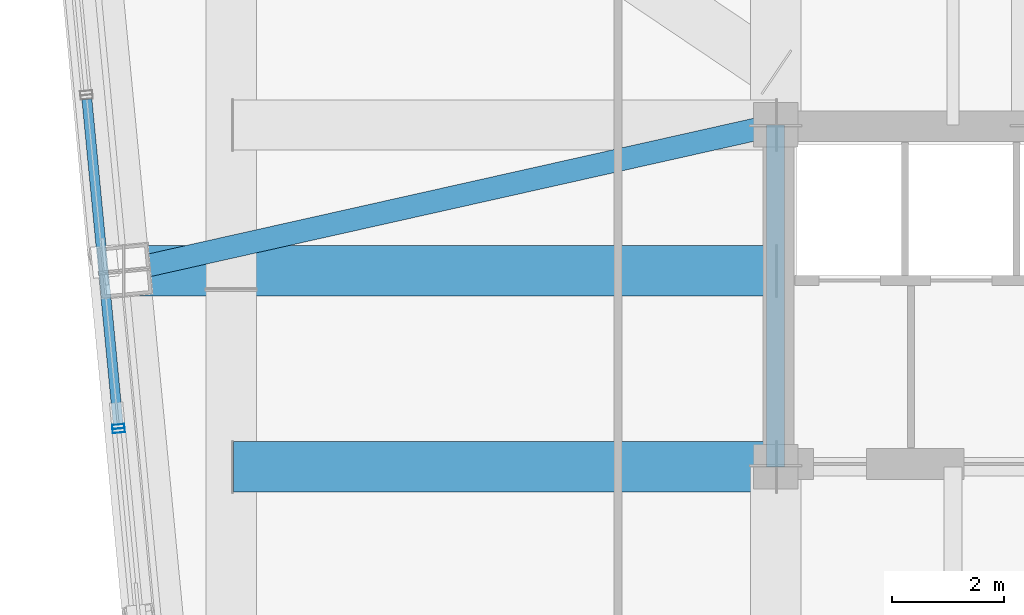
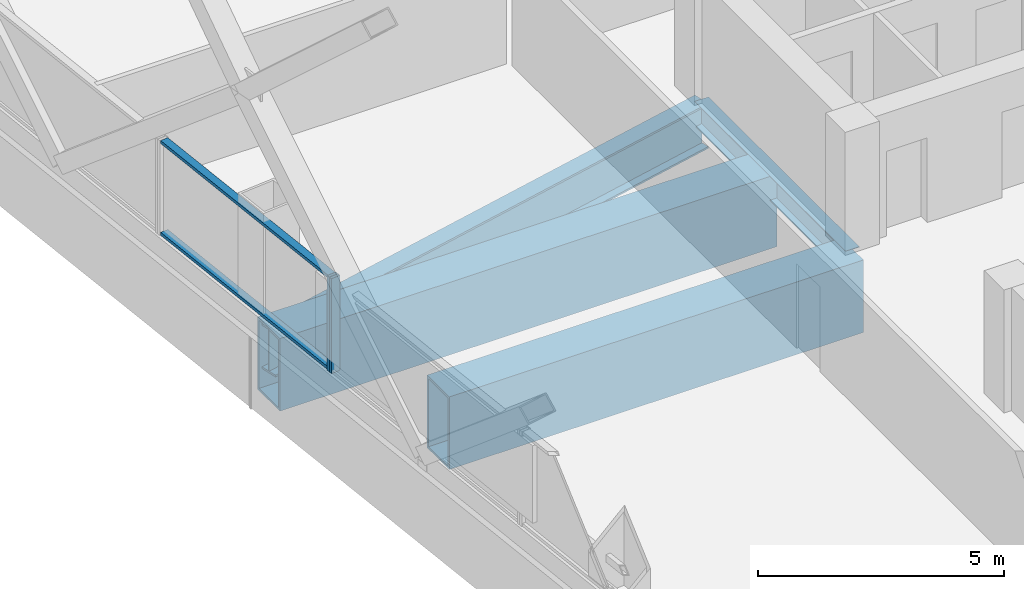
# One storey, part 14 of 42: 4 beams, 4 members, 2 elements without a shape of their own.
"""IFC4 building model written with IfcOpenShell, lengths in metres."""

from ifc_helpers import new_model, si_unit, direction, frame, origin, origin_2d, place, context, subcontext, project, spatial, hollow_rectangle, i_section, extrude, material, layer, layer_set, material_profile, profile_set, type_object, element, aggregate, save


model = new_model("IFC4")

# Units and contexts
model_context = context("Model", 3, precision=1e-05, world=origin(), true_north=direction((0.0, 1.0)))
body_context = subcontext(model_context, "Body", "Model", "MODEL_VIEW")
ifc_project = project(units=[si_unit("LENGTHUNIT", "METRE"), si_unit("AREAUNIT", "SQUARE_METRE"), si_unit("VOLUMEUNIT", "CUBIC_METRE"), si_unit("PLANEANGLEUNIT", "RADIAN"), si_unit("MASSUNIT", "GRAM", prefix="KILO")], contexts=[model_context])

# Site, building, storey
site_placement = place(None, origin())
site = spatial("IfcSite", under=ifc_project, at=site_placement, CompositionType="ELEMENT")
building_placement = place(site_placement, origin())
building = spatial("IfcBuilding", under=site, at=building_placement, Name="Qhalaya Broadcast Tower", CompositionType="ELEMENT")
storey_placement = place(building_placement, frame((0.0, 0.0, 69.449951171875)))
storey = spatial("IfcBuildingStorey", under=building, at=storey_placement, Name="L19", CompositionType="ELEMENT", Elevation=69.449951171875)

# Beams
ifc_material_1 = material(Name="Structural Steel ASTM A572 Grade 50", Category="steel")
ifc_material_profile_1 = material_profile(ifc_material_1, hollow_rectangle(XDim=0.89990234375, YDim=1.800048828125, WallThickness=0.06005859375, at=origin_2d()), Name="BOX 900x1800x60")
ifc_profile_set_1 = profile_set([ifc_material_profile_1], Name="Structural Steel ASTM A572 Grade 50")
beam_type_1 = type_object("IfcBeamType", Name="Block Cantilever Transfer Box Girder TG1", PredefinedType="USERDEFINED", material=ifc_profile_set_1)
beam_1_placement = place(storey_placement, frame((-19.090087890625, 3.824951171875, -1.119873046875), z_axis=(1.0, 0.0, 0.0), x_axis=(0.0, 1.0, 0.0)))
element("IfcBeam", 1, at=beam_1_placement, inside=storey, type_object=beam_type_1, Name="L19 TG1 L19-TGIY3W-1", ObjectType="GIRDER", PredefinedType="USERDEFINED", context=body_context, shape_type="SweptSolid", body=[
    extrude(hollow_rectangle(XDim=0.89990234375, YDim=1.800048828125, WallThickness=0.06005859375, at=origin_2d()), origin(), (0.0, 0.0, 1.0), 9.715087890625),
])
beam_2_placement = place(storey_placement, frame((-9.375, 7.335205078125, -1.119873046875), z_axis=(-1.0, 0.0, 0.0), x_axis=(0.0, -1.0, 0.0)))
element("IfcBeam", 2, at=beam_2_placement, inside=storey, type_object=beam_type_1, Name="L19 Continuous Cantilever Transfer Box Girder 14", ObjectType="GIRDER", PredefinedType="USERDEFINED", context=body_context, shape_type="SweptSolid", body=[
    extrude(hollow_rectangle(XDim=0.89990234375, YDim=1.800048828125, WallThickness=0.06005859375, at=origin_2d()), origin(), (0.0, 0.0, 1.0), 11.661865234375),
])
ifc_material_2 = material(Name="Structural Steel ASTM A992 Grade 50", Category="steel")
ifc_material_profile_2 = material_profile(ifc_material_2, i_section(OverallWidth=0.323974609375, OverallDepth=0.612060546875, WebThickness=0.0126953125, FlangeThickness=0.01904296875, at=origin_2d()), Name="W24X104")
ifc_profile_set_2 = profile_set([ifc_material_profile_2], Name="Structural Steel ASTM A992 Grade 50")
beam_type_2 = type_object("IfcBeamType", Name="Core Frame Tie Beam B04", PredefinedType="BEAM", material=ifc_profile_set_2)
beam_3_placement = place(storey_placement, frame((-9.375, 3.824951171875, -0.52587890625), z_axis=(0.0, 1.0, 0.0), x_axis=(-1.0, 0.0, 0.0)))
element("IfcBeam", 3, at=beam_3_placement, inside=storey, type_object=beam_type_2, Name="L19 B04 L19-CCN2", PredefinedType="BEAM", context=body_context, shape_type="SweptSolid", body=[
    extrude(i_section(OverallWidth=0.323974609375, OverallDepth=0.612060546875, WebThickness=0.0126953125, FlangeThickness=0.01904296875, at=origin_2d()), origin(), (0.0, 0.0, 1.0), 6.125),
])
ifc_material_profile_3 = material_profile(ifc_material_2, i_section(OverallWidth=0.404052734375, OverallDepth=1.117919921875, WebThickness=0.026123046875, FlangeThickness=0.044921875, at=origin_2d()), Name="W44X335")
ifc_profile_set_3 = profile_set([ifc_material_profile_3], Name="Structural Steel ASTM A992 Grade 50")
beam_type_3 = type_object("IfcBeamType", Name="Podium Long-Span Primary Girder PG1", PredefinedType="USERDEFINED", material=ifc_profile_set_3)
beam_4_placement = place(storey_placement, frame((-9.375, 9.949951171875, -0.779052734375), z_axis=(-0.975773864823, -0.218781545675, 0.0), x_axis=(0.218781545675, -0.975773864823, 0.0)))
element("IfcBeam", 4, at=beam_4_placement, inside=storey, type_object=beam_type_3, Name="L19 Column-to-Column Moment Tie Girder 14-1", ObjectType="GIRDER", PredefinedType="USERDEFINED", context=body_context, shape_type="SweptSolid", body=[
    extrude(i_section(OverallWidth=0.404052734375, OverallDepth=1.117919921875, WebThickness=0.026123046875, FlangeThickness=0.044921875, at=origin_2d()), origin(), (0.0, 0.0, 1.0), 11.951416015625),
])

# Curtain wall, member
ifc_material_3 = material(Name="Solar-Control Low-E Triple Glazing", Category="glass")
ifc_layer_1 = layer(ifc_material_3, 0.219970703125, Name="Solar-Control Low-E Triple Glazing")
ifc_layer_set_1 = layer_set([ifc_layer_1], Name="Solar-Control Low-E Triple Glazing")
curtain_wall_type_1 = type_object("IfcCurtainWallType", Name="Even-Block 4-Storey Double-Module Curtain Wall CW-03", PredefinedType="NOTDEFINED", material=ifc_layer_set_1)
curtain_wall_1_placement = place(storey_placement, origin())
curtain_wall_1 = element("IfcCurtainWall", 5, at=curtain_wall_1_placement, inside=storey, type_object=curtain_wall_type_1, Name="L19 Unitised Curtain Wall L19-CW-W3", PredefinedType="NOTDEFINED")
ifc_material_4 = material(Name="Anodised Aluminium 6063-T6", Category="aluminium")
ifc_material_profile_4 = material_profile(ifc_material_4, hollow_rectangle(XDim=0.074951171875, YDim=0.219970703125, WallThickness=0.00390625, at=origin_2d()), Name="ALU-MUL 75x220x4")
ifc_profile_set_4 = profile_set([ifc_material_profile_4], Name="Anodised Aluminium 6063-T6")
member_type_1 = type_object("IfcMemberType", Name="Unitised Curtain-Wall Mullion M01", PredefinedType="MULLION", material=ifc_profile_set_4)
member_1_placement = place(storey_placement, frame((-21.150146484375, 4.546630859375, 0.47998046875), z_axis=(0.0, 0.0, 1.0), x_axis=(0.095837131698, -0.99539702842, 0.0)))
member_1 = element("IfcMember", 6, at=member_1_placement, type_object=member_type_1, Name="CW-03 mullion 2", PredefinedType="MULLION", context=body_context, shape_type="SweptSolid", body=[
    extrude(hollow_rectangle(XDim=0.074951171875, YDim=0.219970703125, WallThickness=0.00390625, at=origin_2d()), origin(), (0.0, 0.0, 1.0), 2.35009765625),
])

ifc_material_5 = material(Name="Fired Architectural Terracotta", Category="masonry")
ifc_layer_2 = layer(ifc_material_5, 0.219970703125, Name="Fired Architectural Terracotta")
ifc_layer_set_2 = layer_set([ifc_layer_2], Name="Fired Architectural Terracotta")
curtain_wall_type_2 = type_object("IfcCurtainWallType", Name="Block-Cap Unitised Terracotta Spandrel Wall CW-07", PredefinedType="NOTDEFINED", material=ifc_layer_set_2)
curtain_wall_2_placement = place(storey_placement, origin())
curtain_wall_2 = element("IfcCurtainWall", 7, at=curtain_wall_2_placement, inside=storey, type_object=curtain_wall_type_2, Name="L19 Unitised Curtain Wall L19-CW-W4", PredefinedType="NOTDEFINED")
member_2_placement = place(storey_placement, frame((-21.14306640625, 4.47216796875, 0.47998046875), z_axis=(0.0, 0.0, 1.0), x_axis=(0.095857417835, -0.995395075056, 0.0)))
member_2 = element("IfcMember", 8, at=member_2_placement, type_object=member_type_1, Name="CW-07 mullion 1", PredefinedType="MULLION", context=body_context, shape_type="SweptSolid", body=[
    extrude(hollow_rectangle(XDim=0.074951171875, YDim=0.219970703125, WallThickness=0.00390625, at=origin_2d()), origin(), (0.0, 0.0, 1.0), 2.35009765625),
])
aggregate(curtain_wall_2, [member_2])

# Member
ifc_material_profile_5 = material_profile(ifc_material_4, hollow_rectangle(XDim=0.074951171875, YDim=0.179931640625, WallThickness=0.00390625, at=origin_2d()), Name="ALU-TRN 75x180x4")
ifc_profile_set_5 = profile_set([ifc_material_profile_5], Name="Anodised Aluminium 6063-T6")
member_type_2 = type_object("IfcMemberType", Name="Unitised Curtain-Wall Transom T01", PredefinedType="USERDEFINED", material=ifc_profile_set_5)
member_3_placement = place(storey_placement, frame((-21.71484375, 10.4111328125, 0.517578125), z_axis=(0.095836372519, -0.995397101514, 0.0), x_axis=(0.0, 0.0, 1.0)))
member_3 = element("IfcMember", 9, at=member_3_placement, type_object=member_type_2, Name="CW-03 transom 1.1", ObjectType="TRANSOM", PredefinedType="USERDEFINED", context=body_context, shape_type="SweptSolid", body=[
    extrude(hollow_rectangle(XDim=0.074951171875, YDim=0.179931640625, WallThickness=0.00390625, at=origin_2d()), origin(), (0.0, 0.0, 1.0), 5.85400390625),
])

member_4_placement = place(storey_placement, frame((-21.71484375, 10.4111328125, 2.79248046875), z_axis=(0.095836372519, -0.995397101514, 0.0), x_axis=(0.0, 0.0, 1.0)))
member_4 = element("IfcMember", 10, at=member_4_placement, type_object=member_type_2, Name="CW-03 transom 1.2", ObjectType="TRANSOM", PredefinedType="USERDEFINED", context=body_context, shape_type="SweptSolid", body=[
    extrude(hollow_rectangle(XDim=0.074951171875, YDim=0.179931640625, WallThickness=0.00390625, at=origin_2d()), origin(), (0.0, 0.0, 1.0), 5.85400390625),
])

aggregate(curtain_wall_1, [member_1, member_3, member_4])

save(model, "model.ifc")
